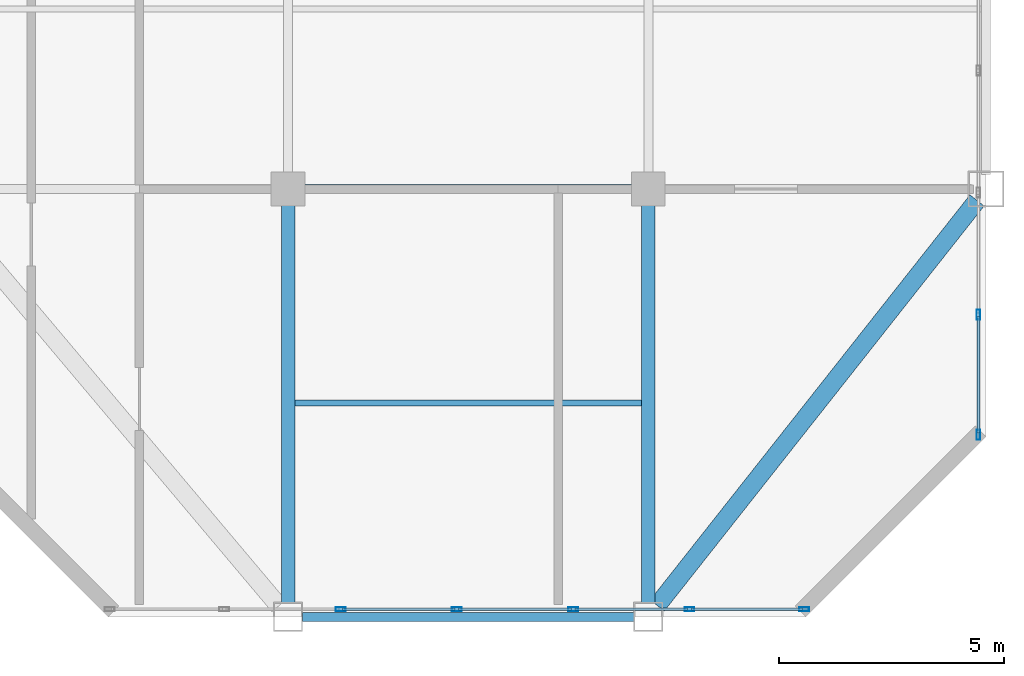
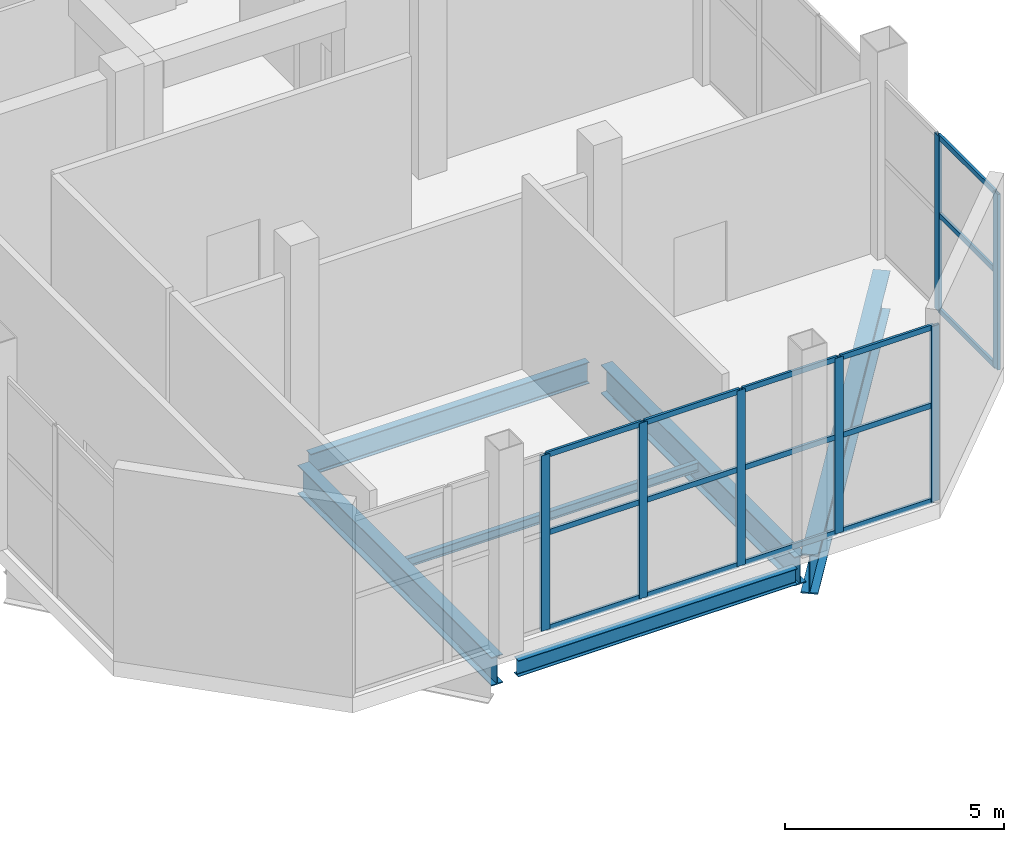
# One storey, part 8 of 18: 22 members, 6 beams, 2 elements without a shape of their own.
"""IFC4 building model written with IfcOpenShell, lengths in metres."""

from ifc_helpers import new_model, si_unit, direction, frame, origin, origin_2d, place, context, subcontext, project, spatial, hollow_rectangle, i_section, extrude, material, layer, layer_set, material_profile, profile_set, type_object, element, aggregate, save


model = new_model("IFC4")

# Units and contexts
model_context = context("Model", 3, precision=1e-05, world=origin(), true_north=direction((0.0, 1.0)))
body_context = subcontext(model_context, "Body", "Model", "MODEL_VIEW")
ifc_project = project(units=[si_unit("LENGTHUNIT", "METRE"), si_unit("AREAUNIT", "SQUARE_METRE"), si_unit("VOLUMEUNIT", "CUBIC_METRE"), si_unit("PLANEANGLEUNIT", "RADIAN"), si_unit("MASSUNIT", "GRAM", prefix="KILO")], contexts=[model_context])

# Site, building, storey
site_placement = place(None, origin())
site = spatial("IfcSite", under=ifc_project, at=site_placement, CompositionType="ELEMENT")
building_placement = place(site_placement, origin())
building = spatial("IfcBuilding", under=site, at=building_placement, Name="Qianrong Seaharbour Tower", CompositionType="ELEMENT")
storey_placement = place(building_placement, frame((0.0, 0.0, 367.199951171875)))
storey = spatial("IfcBuildingStorey", under=building, at=storey_placement, Name="L89", CompositionType="ELEMENT", Elevation=367.199951171875)

# Beams
ifc_material_1 = material(Name="Structural steel SN490B", Category="steel")
ifc_material_profile_1 = material_profile(ifc_material_1, i_section(OverallWidth=0.199951171875, OverallDepth=0.60009765625, WebThickness=0.010986328125, FlangeThickness=0.01708984375, FilletRadius=0.02197265625, at=origin_2d()), Name="H600x200x11x17")
ifc_profile_set_1 = profile_set([ifc_material_profile_1], Name="Structural steel SN490B")
beam_type_1 = type_object("IfcBeamType", Name="BM-G-600", PredefinedType="BEAM", material=ifc_profile_set_1)
beam_1_placement = place(storey_placement, frame((48.820068359375, 28.0, -0.719970703125), z_axis=(1.0, 0.0, 0.0), x_axis=(0.0, 1.0, 0.0)))
element("IfcBeam", 1, at=beam_1_placement, inside=storey, type_object=beam_type_1, Name="L89 Primary Girder GE G7-G8", PredefinedType="BEAM", context=body_context, shape_type="SweptSolid", body=[
    extrude(i_section(OverallWidth=0.199951171875, OverallDepth=0.60009765625, WebThickness=0.010986328125, FlangeThickness=0.01708984375, FilletRadius=0.02197265625, at=origin_2d()), origin(), (0.0, 0.0, 1.0), 7.35986328125),
])
ifc_material_profile_2 = material_profile(ifc_material_1, i_section(OverallWidth=0.300048828125, OverallDepth=0.800048828125, WebThickness=0.013916015625, FlangeThickness=0.02587890625, FilletRadius=0.028076171875, at=origin_2d()), Name="H800x300x14x26")
ifc_profile_set_2 = profile_set([ifc_material_profile_2], Name="Structural steel SN490B")
beam_type_2 = type_object("IfcBeamType", Name="BM-G-800", PredefinedType="BEAM", material=ifc_profile_set_2)
for number, where, z_axis, x_axis, name in (
    (2, (48.5, 18.820068359375, -0.820068359375), (0.0, 1.0, 0.0), (-1.0, 0.0, 0.0), "L89 Primary Girder G7 GD-GE"),
    (3, (56.5, 18.820068359375, -0.820068359375), (0.0, 1.0, 0.0), (-1.0, 0.0, 0.0), "L89 Primary Girder G8 GD-GE"),
):
    element("IfcBeam", number, at=place(storey_placement, frame(where, z_axis=z_axis, x_axis=x_axis)), inside=storey, type_object=beam_type_2, Name=name, PredefinedType="BEAM", context=body_context, shape_type="SweptSolid", body=[
        extrude(i_section(OverallWidth=0.300048828125, OverallDepth=0.800048828125, WebThickness=0.013916015625, FlangeThickness=0.02587890625, FilletRadius=0.028076171875, at=origin_2d()), origin(), (0.0, 0.0, 1.0), 8.85986328125),
    ])
ifc_material_2 = material(Name="Structural steel SN400B", Category="steel")
ifc_material_profile_3 = material_profile(ifc_material_2, i_section(OverallWidth=0.125, OverallDepth=0.25, WebThickness=0.006103515625, FlangeThickness=0.009033203125, FilletRadius=0.011962890625, at=origin_2d()), Name="H250x125x6x9")
ifc_profile_set_3 = profile_set([ifc_material_profile_3], Name="Structural steel SN400B")
beam_type_3 = type_object("IfcBeamType", Name="BM-J-250", PredefinedType="JOIST", material=ifc_profile_set_3)
beam_2_placement = place(storey_placement, frame((48.64990234375, 23.25, -0.544921875), z_axis=(1.0, 0.0, 0.0), x_axis=(0.0, 1.0, 0.0)))
element("IfcBeam", 4, at=beam_2_placement, inside=storey, type_object=beam_type_3, Name="L89 Composite Floor Joist G7-G8/GD-GE", PredefinedType="JOIST", context=body_context, shape_type="SweptSolid", body=[
    extrude(i_section(OverallWidth=0.125, OverallDepth=0.25, WebThickness=0.006103515625, FlangeThickness=0.009033203125, FilletRadius=0.011962890625, at=origin_2d()), origin(), (0.0, 0.0, 1.0), 7.7001953125),
])
ifc_material_profile_4 = material_profile(ifc_material_2, i_section(OverallWidth=0.199951171875, OverallDepth=0.449951171875, WebThickness=0.009033203125, FlangeThickness=0.013916015625, FilletRadius=0.01806640625, at=origin_2d()), Name="H450x200x9x14")
ifc_profile_set_4 = profile_set([ifc_material_profile_4], Name="Structural steel SN400B")
beam_type_4 = type_object("IfcBeamType", Name="BM-SP-450", PredefinedType="SPANDREL", material=ifc_profile_set_4)
beam_3_placement = place(storey_placement, frame((48.820068359375, 18.5, -0.64501953125), z_axis=(1.0, 0.0, 0.0), x_axis=(0.0, 1.0, 0.0)))
element("IfcBeam", 5, at=beam_3_placement, inside=storey, type_object=beam_type_4, Name="L89 Spandrel Girder GD G7-G8", PredefinedType="SPANDREL", context=body_context, shape_type="SweptSolid", body=[
    extrude(i_section(OverallWidth=0.199951171875, OverallDepth=0.449951171875, WebThickness=0.009033203125, FlangeThickness=0.013916015625, FilletRadius=0.01806640625, at=origin_2d()), origin(), (0.0, 0.0, 1.0), 7.35986328125),
])
ifc_material_profile_5 = material_profile(ifc_material_1, i_section(OverallWidth=0.39990234375, OverallDepth=1.10009765625, WebThickness=0.02001953125, FlangeThickness=0.035888671875, at=origin_2d()), Name="BH1100x400x20x36")
ifc_profile_set_5 = profile_set([ifc_material_profile_5], Name="Structural steel SN490B")
beam_type_5 = type_object("IfcBeamType", Name="BM-TG-1100", PredefinedType="BEAM", material=ifc_profile_set_5)
beam_4_placement = place(storey_placement, frame((56.6982421875, 18.751220703125, -0.969970703125), z_axis=(0.619653955715, 0.784875133487, 0.0), x_axis=(-0.784875133487, 0.619653955715, 0.0)))
element("IfcBeam", 6, at=beam_4_placement, inside=storey, type_object=beam_type_5, Name="L89 Chamfer Corner Spandrel Girder G9/GD", PredefinedType="BEAM", context=body_context, shape_type="SweptSolid", body=[
    extrude(i_section(OverallWidth=0.39990234375, OverallDepth=1.10009765625, WebThickness=0.02001953125, FlangeThickness=0.035888671875, at=origin_2d()), origin(), (0.0, 0.0, 1.0), 11.463623046875),
])

# Curtain wall, members
ifc_material_3 = material(Name="Anodised aluminium 6063-T6 and laminated low-e glass", Category="aluminium")
ifc_layer = layer(ifc_material_3, 0.22998046875)
ifc_layer_set = layer_set([ifc_layer], Name="Anodised aluminium 6063-T6 and laminated low-e glass")
curtain_wall_type = type_object("IfcCurtainWallType", Name="CW-SYS-5", PredefinedType="NOTDEFINED", material=ifc_layer_set)
curtain_wall_1_placement = place(storey_placement, origin())
curtain_wall_1 = element("IfcCurtainWall", 7, at=curtain_wall_1_placement, inside=storey, type_object=curtain_wall_type, Name="L89 Venturi Wind-Turbine Shroud Curtain Wall EAST_WING", PredefinedType="NOTDEFINED")
ifc_material_4 = material(Name="Extruded aluminium 6063-T6", Category="aluminium")
ifc_material_profile_6 = material_profile(ifc_material_4, hollow_rectangle(XDim=0.080078125, YDim=0.219970703125, WallThickness=0.0048828125, at=origin_2d()), Name="ALU-MUL-220x80x5")
ifc_profile_set_6 = profile_set([ifc_material_profile_6], Name="Extruded aluminium 6063-T6")
member_type_1 = type_object("IfcMemberType", Name="CW-MUL-220", PredefinedType="MULLION", material=ifc_profile_set_6)
member_1_placement = place(storey_placement, frame((63.830078125, 25.2099609375, 0.0), z_axis=(0.0, 0.0, 1.0), x_axis=(1.0, 0.0, 0.0)))
member_1 = element("IfcMember", 8, at=member_1_placement, type_object=member_type_1, Name="CW-5 mullion 5", PredefinedType="MULLION", context=body_context, shape_type="SweptSolid", body=[
    extrude(hollow_rectangle(XDim=0.080078125, YDim=0.219970703125, WallThickness=0.0048828125, at=origin_2d()), origin(), (0.0, 0.0, 1.0), 4.900146484375),
])
member_2_placement = place(storey_placement, frame((63.830078125, 22.5400390625, 0.0), z_axis=(0.0, 0.0, 1.0), x_axis=(1.0, 0.0, 0.0)))
member_2 = element("IfcMember", 9, at=member_2_placement, type_object=member_type_1, Name="CW-5 mullion 6", PredefinedType="MULLION", context=body_context, shape_type="SweptSolid", body=[
    extrude(hollow_rectangle(XDim=0.080078125, YDim=0.219970703125, WallThickness=0.0048828125, at=origin_2d()), origin(), (0.0, 0.0, 1.0), 4.900146484375),
])

curtain_wall_2_placement = place(storey_placement, origin())
curtain_wall_2 = element("IfcCurtainWall", 10, at=curtain_wall_2_placement, inside=storey, type_object=curtain_wall_type, Name="L89 Venturi Wind-Turbine Shroud Curtain Wall SOUTH_TIP", PredefinedType="NOTDEFINED")
member_3_placement = place(storey_placement, frame((59.9599609375, 18.669921875, 0.0), z_axis=(0.0, 0.0, 1.0), x_axis=(0.0, -1.0, 0.0)))
member_3 = element("IfcMember", 11, at=member_3_placement, type_object=member_type_1, Name="CW-5 mullion 1", PredefinedType="MULLION", context=body_context, shape_type="SweptSolid", body=[
    extrude(hollow_rectangle(XDim=0.080078125, YDim=0.219970703125, WallThickness=0.0048828125, at=origin_2d()), origin(), (0.0, 0.0, 1.0), 4.900146484375),
])
member_4_placement = place(storey_placement, frame((57.416748046875, 18.669921875, 0.0), z_axis=(0.0, 0.0, 1.0), x_axis=(0.0, -1.0, 0.0)))
member_4 = element("IfcMember", 12, at=member_4_placement, type_object=member_type_1, Name="CW-5 mullion 2", PredefinedType="MULLION", context=body_context, shape_type="SweptSolid", body=[
    extrude(hollow_rectangle(XDim=0.080078125, YDim=0.219970703125, WallThickness=0.0048828125, at=origin_2d()), origin(), (0.0, 0.0, 1.0), 4.900146484375),
])
member_5_placement = place(storey_placement, frame((54.833251953125, 18.669921875, 0.0), z_axis=(0.0, 0.0, 1.0), x_axis=(0.0, -1.0, 0.0)))
member_5 = element("IfcMember", 13, at=member_5_placement, type_object=member_type_1, Name="CW-5 mullion 3", PredefinedType="MULLION", context=body_context, shape_type="SweptSolid", body=[
    extrude(hollow_rectangle(XDim=0.080078125, YDim=0.219970703125, WallThickness=0.0048828125, at=origin_2d()), origin(), (0.0, 0.0, 1.0), 4.900146484375),
])
member_6_placement = place(storey_placement, frame((52.25, 18.669921875, 0.0), z_axis=(0.0, 0.0, 1.0), x_axis=(0.0, -1.0, 0.0)))
member_6 = element("IfcMember", 14, at=member_6_placement, type_object=member_type_1, Name="CW-5 mullion 4", PredefinedType="MULLION", context=body_context, shape_type="SweptSolid", body=[
    extrude(hollow_rectangle(XDim=0.080078125, YDim=0.219970703125, WallThickness=0.0048828125, at=origin_2d()), origin(), (0.0, 0.0, 1.0), 4.900146484375),
])
member_7_placement = place(storey_placement, frame((49.666748046875, 18.669921875, 0.0), z_axis=(0.0, 0.0, 1.0), x_axis=(0.0, -1.0, 0.0)))
member_7 = element("IfcMember", 15, at=member_7_placement, type_object=member_type_1, Name="CW-5 mullion 5", PredefinedType="MULLION", context=body_context, shape_type="SweptSolid", body=[
    extrude(hollow_rectangle(XDim=0.080078125, YDim=0.219970703125, WallThickness=0.0048828125, at=origin_2d()), origin(), (0.0, 0.0, 1.0), 4.900146484375),
])

# Member
ifc_material_profile_7 = material_profile(ifc_material_4, hollow_rectangle(XDim=0.06494140625, YDim=0.14990234375, WallThickness=0.00390625, at=origin_2d()), Name="ALU-TRN-150x65x4")
ifc_profile_set_7 = profile_set([ifc_material_profile_7], Name="Extruded aluminium 6063-T6")
member_type_2 = type_object("IfcMemberType", Name="CW-TRN-150", PredefinedType="USERDEFINED", material=ifc_profile_set_7)
member_8_placement = place(storey_placement, frame((63.830078125, 25.169921875, 0.032470703125), z_axis=(0.0, -1.0, 0.0), x_axis=(1.0, 0.0, 0.0)))
member_8 = element("IfcMember", 16, at=member_8_placement, type_object=member_type_2, Name="CW-5 transom 5.1", ObjectType="TRANSOM", PredefinedType="USERDEFINED", context=body_context, shape_type="SweptSolid", body=[
    extrude(hollow_rectangle(XDim=0.06494140625, YDim=0.14990234375, WallThickness=0.00390625, at=origin_2d()), origin(), (0.0, 0.0, 1.0), 2.58984375),
])

member_9_placement = place(storey_placement, frame((63.830078125, 25.169921875, 2.695068359375), z_axis=(0.0, -1.0, 0.0), x_axis=(1.0, 0.0, 0.0)))
member_9 = element("IfcMember", 17, at=member_9_placement, type_object=member_type_2, Name="CW-5 transom 5.2", ObjectType="TRANSOM", PredefinedType="USERDEFINED", context=body_context, shape_type="SweptSolid", body=[
    extrude(hollow_rectangle(XDim=0.06494140625, YDim=0.14990234375, WallThickness=0.00390625, at=origin_2d()), origin(), (0.0, 0.0, 1.0), 2.58984375),
])

member_10_placement = place(storey_placement, frame((63.830078125, 25.169921875, 4.867431640625), z_axis=(0.0, -1.0, 0.0), x_axis=(1.0, 0.0, 0.0)))
member_10 = element("IfcMember", 18, at=member_10_placement, type_object=member_type_2, Name="CW-5 transom 5.3", ObjectType="TRANSOM", PredefinedType="USERDEFINED", context=body_context, shape_type="SweptSolid", body=[
    extrude(hollow_rectangle(XDim=0.06494140625, YDim=0.14990234375, WallThickness=0.00390625, at=origin_2d()), origin(), (0.0, 0.0, 1.0), 2.58984375),
])

aggregate(curtain_wall_1, [member_1, member_2, member_8, member_9, member_10])

member_11_placement = place(storey_placement, frame((59.919921875, 18.669921875, 0.032470703125), z_axis=(-1.0, 0.0, 0.0), x_axis=(0.0, -1.0, 0.0)))
member_11 = element("IfcMember", 19, at=member_11_placement, type_object=member_type_2, Name="CW-5 transom 1.1", ObjectType="TRANSOM", PredefinedType="USERDEFINED", context=body_context, shape_type="SweptSolid", body=[
    extrude(hollow_rectangle(XDim=0.06494140625, YDim=0.14990234375, WallThickness=0.00390625, at=origin_2d()), origin(), (0.0, 0.0, 1.0), 2.463134765625),
])

member_12_placement = place(storey_placement, frame((59.919921875, 18.669921875, 2.695068359375), z_axis=(-1.0, 0.0, 0.0), x_axis=(0.0, -1.0, 0.0)))
member_12 = element("IfcMember", 20, at=member_12_placement, type_object=member_type_2, Name="CW-5 transom 1.2", ObjectType="TRANSOM", PredefinedType="USERDEFINED", context=body_context, shape_type="SweptSolid", body=[
    extrude(hollow_rectangle(XDim=0.06494140625, YDim=0.14990234375, WallThickness=0.00390625, at=origin_2d()), origin(), (0.0, 0.0, 1.0), 2.463134765625),
])

member_13_placement = place(storey_placement, frame((59.919921875, 18.669921875, 4.867431640625), z_axis=(-1.0, 0.0, 0.0), x_axis=(0.0, -1.0, 0.0)))
member_13 = element("IfcMember", 21, at=member_13_placement, type_object=member_type_2, Name="CW-5 transom 1.3", ObjectType="TRANSOM", PredefinedType="USERDEFINED", context=body_context, shape_type="SweptSolid", body=[
    extrude(hollow_rectangle(XDim=0.06494140625, YDim=0.14990234375, WallThickness=0.00390625, at=origin_2d()), origin(), (0.0, 0.0, 1.0), 2.463134765625),
])

member_14_placement = place(storey_placement, frame((57.376708984375, 18.669921875, 0.032470703125), z_axis=(-1.0, 0.0, 0.0), x_axis=(0.0, -1.0, 0.0)))
member_14 = element("IfcMember", 22, at=member_14_placement, type_object=member_type_2, Name="CW-5 transom 2.1", ObjectType="TRANSOM", PredefinedType="USERDEFINED", context=body_context, shape_type="SweptSolid", body=[
    extrude(hollow_rectangle(XDim=0.06494140625, YDim=0.14990234375, WallThickness=0.00390625, at=origin_2d()), origin(), (0.0, 0.0, 1.0), 2.50341796875),
])

member_15_placement = place(storey_placement, frame((57.376708984375, 18.669921875, 2.695068359375), z_axis=(-1.0, 0.0, 0.0), x_axis=(0.0, -1.0, 0.0)))
member_15 = element("IfcMember", 23, at=member_15_placement, type_object=member_type_2, Name="CW-5 transom 2.2", ObjectType="TRANSOM", PredefinedType="USERDEFINED", context=body_context, shape_type="SweptSolid", body=[
    extrude(hollow_rectangle(XDim=0.06494140625, YDim=0.14990234375, WallThickness=0.00390625, at=origin_2d()), origin(), (0.0, 0.0, 1.0), 2.50341796875),
])

member_16_placement = place(storey_placement, frame((57.376708984375, 18.669921875, 4.867431640625), z_axis=(-1.0, 0.0, 0.0), x_axis=(0.0, -1.0, 0.0)))
member_16 = element("IfcMember", 24, at=member_16_placement, type_object=member_type_2, Name="CW-5 transom 2.3", ObjectType="TRANSOM", PredefinedType="USERDEFINED", context=body_context, shape_type="SweptSolid", body=[
    extrude(hollow_rectangle(XDim=0.06494140625, YDim=0.14990234375, WallThickness=0.00390625, at=origin_2d()), origin(), (0.0, 0.0, 1.0), 2.50341796875),
])

member_17_placement = place(storey_placement, frame((54.793212890625, 18.669921875, 0.032470703125), z_axis=(-1.0, 0.0, 0.0), x_axis=(0.0, -1.0, 0.0)))
member_17 = element("IfcMember", 25, at=member_17_placement, type_object=member_type_2, Name="CW-5 transom 3.1", ObjectType="TRANSOM", PredefinedType="USERDEFINED", context=body_context, shape_type="SweptSolid", body=[
    extrude(hollow_rectangle(XDim=0.06494140625, YDim=0.14990234375, WallThickness=0.00390625, at=origin_2d()), origin(), (0.0, 0.0, 1.0), 2.503173828125),
])

member_18_placement = place(storey_placement, frame((54.793212890625, 18.669921875, 2.695068359375), z_axis=(-1.0, 0.0, 0.0), x_axis=(0.0, -1.0, 0.0)))
member_18 = element("IfcMember", 26, at=member_18_placement, type_object=member_type_2, Name="CW-5 transom 3.2", ObjectType="TRANSOM", PredefinedType="USERDEFINED", context=body_context, shape_type="SweptSolid", body=[
    extrude(hollow_rectangle(XDim=0.06494140625, YDim=0.14990234375, WallThickness=0.00390625, at=origin_2d()), origin(), (0.0, 0.0, 1.0), 2.503173828125),
])

member_19_placement = place(storey_placement, frame((54.793212890625, 18.669921875, 4.867431640625), z_axis=(-1.0, 0.0, 0.0), x_axis=(0.0, -1.0, 0.0)))
member_19 = element("IfcMember", 27, at=member_19_placement, type_object=member_type_2, Name="CW-5 transom 3.3", ObjectType="TRANSOM", PredefinedType="USERDEFINED", context=body_context, shape_type="SweptSolid", body=[
    extrude(hollow_rectangle(XDim=0.06494140625, YDim=0.14990234375, WallThickness=0.00390625, at=origin_2d()), origin(), (0.0, 0.0, 1.0), 2.503173828125),
])

member_20_placement = place(storey_placement, frame((52.2099609375, 18.669921875, 0.032470703125), z_axis=(-1.0, 0.0, 0.0), x_axis=(0.0, -1.0, 0.0)))
member_20 = element("IfcMember", 28, at=member_20_placement, type_object=member_type_2, Name="CW-5 transom 4.1", ObjectType="TRANSOM", PredefinedType="USERDEFINED", context=body_context, shape_type="SweptSolid", body=[
    extrude(hollow_rectangle(XDim=0.06494140625, YDim=0.14990234375, WallThickness=0.00390625, at=origin_2d()), origin(), (0.0, 0.0, 1.0), 2.503173828125),
])

member_21_placement = place(storey_placement, frame((52.2099609375, 18.669921875, 2.695068359375), z_axis=(-1.0, 0.0, 0.0), x_axis=(0.0, -1.0, 0.0)))
member_21 = element("IfcMember", 29, at=member_21_placement, type_object=member_type_2, Name="CW-5 transom 4.2", ObjectType="TRANSOM", PredefinedType="USERDEFINED", context=body_context, shape_type="SweptSolid", body=[
    extrude(hollow_rectangle(XDim=0.06494140625, YDim=0.14990234375, WallThickness=0.00390625, at=origin_2d()), origin(), (0.0, 0.0, 1.0), 2.503173828125),
])

member_22_placement = place(storey_placement, frame((52.2099609375, 18.669921875, 4.867431640625), z_axis=(-1.0, 0.0, 0.0), x_axis=(0.0, -1.0, 0.0)))
member_22 = element("IfcMember", 30, at=member_22_placement, type_object=member_type_2, Name="CW-5 transom 4.3", ObjectType="TRANSOM", PredefinedType="USERDEFINED", context=body_context, shape_type="SweptSolid", body=[
    extrude(hollow_rectangle(XDim=0.06494140625, YDim=0.14990234375, WallThickness=0.00390625, at=origin_2d()), origin(), (0.0, 0.0, 1.0), 2.503173828125),
])

aggregate(curtain_wall_2, [member_3, member_4, member_5, member_6, member_7, member_11, member_12, member_13, member_14, member_15, member_16, member_17, member_18, member_19, member_20, member_21, member_22])

save(model, "model.ifc")
